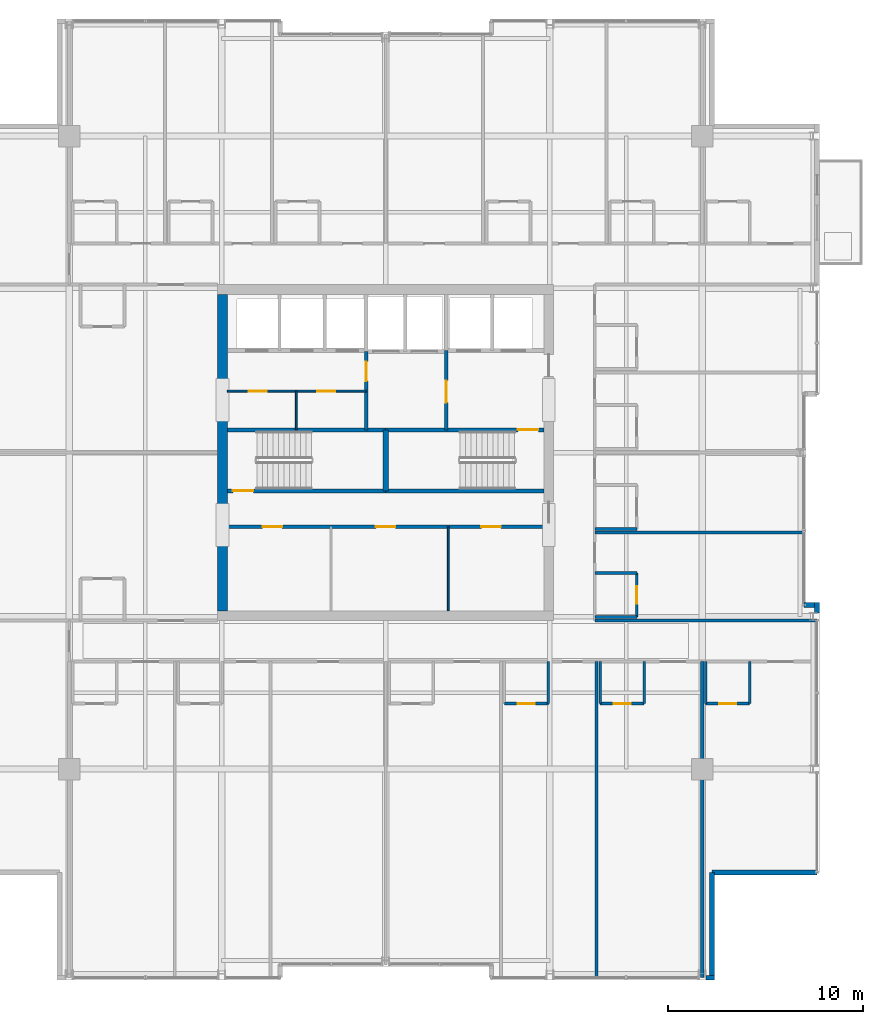
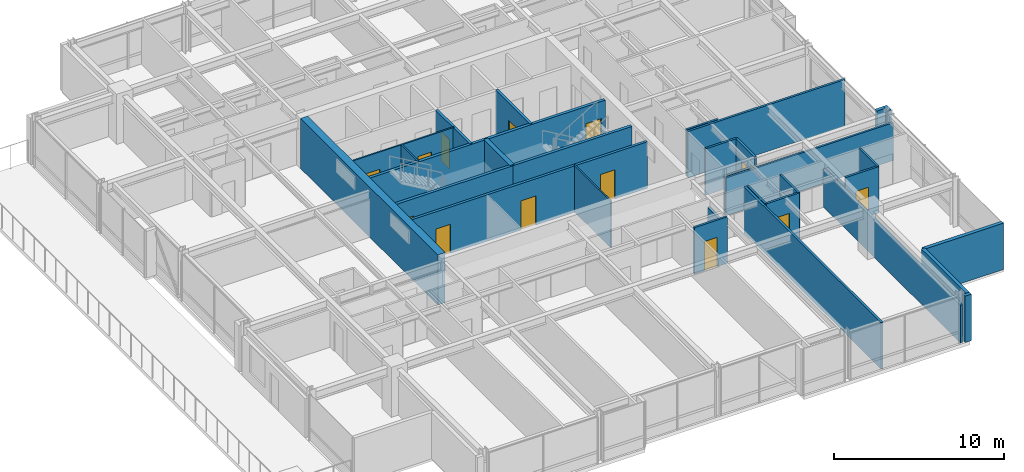
# One storey, part 26 of 32: 33 walls, 13 doors, 13 openings.
"""IFC4 building model written with IfcOpenShell, lengths in metres."""

from ifc_helpers import new_model, si_unit, direction, frame, frame_2d, origin, place, context, subcontext, project, spatial, rectangle, extrude, material, layer, layer_set, type_object, element, fill, save


model = new_model("IFC4")

# Units and contexts
model_context = context("Model", 3, precision=1e-05, world=origin(), true_north=direction((0.0, 1.0)))
body_context = subcontext(model_context, "Body", "Model", "MODEL_VIEW")
ifc_project = project(units=[si_unit("LENGTHUNIT", "METRE"), si_unit("AREAUNIT", "SQUARE_METRE"), si_unit("VOLUMEUNIT", "CUBIC_METRE"), si_unit("PLANEANGLEUNIT", "RADIAN"), si_unit("MASSUNIT", "GRAM", prefix="KILO")], contexts=[model_context])

# Site, building, storey
site_placement = place(None, origin())
site = spatial("IfcSite", under=ifc_project, at=site_placement, CompositionType="ELEMENT")
building_placement = place(site_placement, origin())
building = spatial("IfcBuilding", under=site, at=building_placement, Name="Drelvath Grand Hotel", CompositionType="ELEMENT")
storey_placement = place(building_placement, frame((0.0, 0.0, 205.10009765625)))
storey = spatial("IfcBuildingStorey", under=building, at=storey_placement, Name="L53", CompositionType="ELEMENT", Elevation=205.10009765625)

# Wall, openings, doors
ifc_material_1 = material(Name="Gypsum Partition Board")
ifc_layer_1 = layer(ifc_material_1, 0.10009765625)
ifc_layer_set_1 = layer_set([ifc_layer_1], Name="Gypsum Partition Board")
wall_type_1 = type_object("IfcWallType", Name="Core Closet Partition 100", PredefinedType="PARTITIONING", material=ifc_layer_set_1)
wall_1_placement = place(storey_placement, frame((-8.10009765625, 30.139892578125, 0.0), z_axis=(0.0, 0.0, 1.0), x_axis=(1.0, 0.0, 0.0)))
wall_1 = element("IfcWall", 1, at=wall_1_placement, inside=storey, type_object=wall_type_1, Name="L53 High-Rise Lobby Closet Wall", PredefinedType="PARTITIONING", context=body_context, shape_type="SweptSolid", body=[
    extrude(rectangle(XDim=7.10009765625, YDim=0.10009765625, at=frame_2d((3.550048828125, 0.0))), origin(), (0.0, 0.0, 1.0), 3.33984375),
])
opening_1_placement = place(wall_1_placement, frame((1.10009765625, 0.0, 0.0)))
opening_1 = element("IfcOpeningElement", 2, at=opening_1_placement, cuts=wall_1, Name="Opening D-T4G1-013", PredefinedType="OPENING", context=body_context, shape_type="SweptSolid", body=[
    extrude(rectangle(XDim=0.919921875, YDim=2.10009765625, at=frame_2d((0.4599609375, 1.050048828125))), frame((0.0, 0.06005859375, 0.0), z_axis=(0.0, -1.0, 0.0), x_axis=(1.0, 0.0, 0.0)), (0.0, 0.0, 1.0), 0.1201171875),
])
opening_2_placement = place(wall_1_placement, frame((4.60009765625, 0.0, 0.0)))
opening_2 = element("IfcOpeningElement", 3, at=opening_2_placement, cuts=wall_1, Name="Opening D-T4G1-014", PredefinedType="OPENING", context=body_context, shape_type="SweptSolid", body=[
    extrude(rectangle(XDim=0.919921875, YDim=2.10009765625, at=frame_2d((0.4599609375, 1.050048828125))), frame((0.0, 0.06005859375, 0.0), z_axis=(0.0, -1.0, 0.0), x_axis=(1.0, 0.0, 0.0)), (0.0, 0.0, 1.0), 0.1201171875),
])
ifc_material_2 = material(Name="Painted Steel S275", Category="steel")
door_type_1 = type_object("IfcDoorType", Name="Staff Utility Door 920x2100", OperationType="NOTDEFINED", PredefinedType="DOOR", material=ifc_material_2)
door_1_placement = place(opening_1_placement, origin())
door_1 = element("IfcDoor", 4, at=door_1_placement, inside=storey, type_object=door_type_1, Name="L53 Electrical Closet Door", OperationType="SINGLE_SWING_RIGHT", OverallHeight=2.10009765625, OverallWidth=0.919921875, PredefinedType="DOOR", context=body_context, shape_type="SweptSolid", body=[
    extrude(rectangle(XDim=0.919921875, YDim=2.10009765625, at=frame_2d((0.4599609375, 1.050048828125))), frame((0.0, 0.02490234375, 0.0), z_axis=(0.0, -1.0, 0.0), x_axis=(1.0, 0.0, 0.0)), (0.0, 0.0, 1.0), 0.050048828125),
])
fill(opening_1, door_1)
door_2_placement = place(opening_2_placement, origin())
door_2 = element("IfcDoor", 5, at=door_2_placement, inside=storey, type_object=door_type_1, Name="L53 Telecom Room Door", OperationType="SINGLE_SWING_LEFT", OverallHeight=2.10009765625, OverallWidth=0.919921875, PredefinedType="DOOR", context=body_context, shape_type="SweptSolid", body=[
    extrude(rectangle(XDim=0.919921875, YDim=2.10009765625, at=frame_2d((0.4599609375, 1.050048828125))), frame((0.0, 0.02490234375, 0.0), z_axis=(0.0, -1.0, 0.0), x_axis=(1.0, 0.0, 0.0)), (0.0, 0.0, 1.0), 0.050048828125),
])
fill(opening_2, door_2)

# Walls
wall_2_placement = place(storey_placement, frame((-4.580078125, 28.159912109375, 0.0), z_axis=(0.0, 0.0, 1.0), x_axis=(0.0, 1.0, 0.0)))
element("IfcWall", 6, at=wall_2_placement, inside=storey, type_object=wall_type_1, Name="L53 Core Closet Split 1", PredefinedType="PARTITIONING", context=body_context, shape_type="SweptSolid", body=[
    extrude(rectangle(XDim=1.97998046875, YDim=0.10009765625, at=frame_2d((0.989990234375, 0.0))), origin(), (0.0, 0.0, 1.0), 3.33984375),
])
wall_3_placement = place(storey_placement, frame((3.199951171875, 18.89990234375, 0.0), z_axis=(0.0, 0.0, 1.0), x_axis=(0.0, 1.0, 0.0)))
element("IfcWall", 7, at=wall_3_placement, inside=storey, type_object=wall_type_1, Name="L53 Upper Core Split 1B", PredefinedType="PARTITIONING", context=body_context, shape_type="SweptSolid", body=[
    extrude(rectangle(XDim=4.300048828125, YDim=0.10009765625, at=frame_2d((2.14990234375, 0.0))), origin(), (0.0, 0.0, 1.0), 3.33984375),
])

# Wall, opening, door
ifc_material_3 = material(Name="Concrete C40/50", Category="concrete")
ifc_layer_2 = layer(ifc_material_3, 0.199951171875)
ifc_layer_set_2 = layer_set([ifc_layer_2], Name="Concrete C40/50")
wall_type_2 = type_object("IfcWallType", Name="Core Shaft Fire Wall 200", PredefinedType="SOLIDWALL", material=ifc_layer_set_2)
wall_4_placement = place(storey_placement, frame((-8.10009765625, 25.0400390625, 0.0), z_axis=(0.0, 0.0, 1.0), x_axis=(1.0, 0.0, 0.0)))
wall_4 = element("IfcWall", 8, at=wall_4_placement, inside=storey, type_object=wall_type_2, Name="L53 Stair ST-1 South Wall", PredefinedType="SOLIDWALL", context=body_context, shape_type="SweptSolid", body=[
    extrude(rectangle(XDim=8.10009765625, YDim=0.199951171875, at=frame_2d((4.050048828125, 0.0))), origin(), (0.0, 0.0, 1.0), 3.33984375),
])
opening_3_placement = place(wall_4_placement, frame((0.280029296875, 0.0, 0.0)))
opening_3 = element("IfcOpeningElement", 9, at=opening_3_placement, cuts=wall_4, Name="Opening D-T4G1-001", PredefinedType="OPENING", context=body_context, shape_type="SweptSolid", body=[
    extrude(rectangle(XDim=1.050048828125, YDim=2.10009765625, at=frame_2d((0.52490234375, 1.050048828125))), frame((0.0, 0.10986328125, 0.0), z_axis=(0.0, -1.0, 0.0), x_axis=(1.0, 0.0, 0.0)), (0.0, 0.0, 1.0), 0.219970703125),
])
door_type_2 = type_object("IfcDoorType", Name="Tower Stairwell Fire Door 1050x2100", OperationType="NOTDEFINED", PredefinedType="DOOR", material=ifc_material_2)
door_3_placement = place(opening_3_placement, origin())
door_3 = element("IfcDoor", 10, at=door_3_placement, inside=storey, type_object=door_type_2, Name="L53 Exit Stair ST-1 Door", OperationType="SINGLE_SWING_LEFT", OverallHeight=2.10009765625, OverallWidth=1.050048828125, PredefinedType="DOOR", context=body_context, shape_type="SweptSolid", body=[
    extrude(rectangle(XDim=1.050048828125, YDim=2.10009765625, at=frame_2d((0.52490234375, 1.050048828125))), frame((0.0, 0.02490234375, 0.0), z_axis=(0.0, -1.0, 0.0), x_axis=(1.0, 0.0, 0.0)), (0.0, 0.0, 1.0), 0.050048828125),
])
fill(opening_3, door_3)

# Walls
for number, where, z_axis, x_axis, name in (
    (11, (-8.10009765625, 28.159912109375, 0.0), (0.0, 0.0, 1.0), (1.0, 0.0, 0.0), "L53 Stair ST-1 North Wall"),
    (12, (0.0, 25.0400390625, 0.0), (0.0, 0.0, 1.0), (1.0, 0.0, 0.0), "L53 Stair ST-2 South Wall"),
):
    element("IfcWall", number, at=place(storey_placement, frame(where, z_axis=z_axis, x_axis=x_axis)), inside=storey, type_object=wall_type_2, Name=name, PredefinedType="SOLIDWALL", context=body_context, shape_type="SweptSolid", body=[
        extrude(rectangle(XDim=8.10009765625, YDim=0.199951171875, at=frame_2d((4.050048828125, 0.0))), origin(), (0.0, 0.0, 1.0), 3.33984375),
    ])

# Wall, opening, door
wall_5_placement = place(storey_placement, frame((8.10009765625, 28.159912109375, 0.0), z_axis=(0.0, 0.0, 1.0), x_axis=(-1.0, 0.0, 0.0)))
wall_5 = element("IfcWall", 13, at=wall_5_placement, inside=storey, type_object=wall_type_2, Name="L53 Stair ST-2 North Wall", PredefinedType="SOLIDWALL", context=body_context, shape_type="SweptSolid", body=[
    extrude(rectangle(XDim=8.10009765625, YDim=0.199951171875, at=frame_2d((4.050048828125, 0.0))), origin(), (0.0, 0.0, 1.0), 3.33984375),
])
opening_4_placement = place(wall_5_placement, frame((0.280029296875, 0.0, 0.0)))
opening_4 = element("IfcOpeningElement", 14, at=opening_4_placement, cuts=wall_5, Name="Opening D-T4G1-002", PredefinedType="OPENING", context=body_context, shape_type="SweptSolid", body=[
    extrude(rectangle(XDim=1.050048828125, YDim=2.10009765625, at=frame_2d((0.52490234375, 1.050048828125))), frame((0.0, 0.10986328125, 0.0), z_axis=(0.0, -1.0, 0.0), x_axis=(1.0, 0.0, 0.0)), (0.0, 0.0, 1.0), 0.219970703125),
])
door_4_placement = place(opening_4_placement, origin())
door_4 = element("IfcDoor", 15, at=door_4_placement, inside=storey, type_object=door_type_2, Name="L53 Exit Stair ST-2 Door", OperationType="SINGLE_SWING_LEFT", OverallHeight=2.10009765625, OverallWidth=1.050048828125, PredefinedType="DOOR", context=body_context, shape_type="SweptSolid", body=[
    extrude(rectangle(XDim=1.050048828125, YDim=2.10009765625, at=frame_2d((0.52490234375, 1.050048828125))), frame((0.0, 0.02490234375, 0.0), z_axis=(0.0, -1.0, 0.0), x_axis=(1.0, 0.0, 0.0)), (0.0, 0.0, 1.0), 0.050048828125),
])
fill(opening_4, door_4)

# Walls
ifc_layer_3 = layer(ifc_material_3, 0.300048828125)
ifc_layer_set_3 = layer_set([ifc_layer_3], Name="Concrete C40/50")
wall_type_3 = type_object("IfcWallType", Name="Core Shaft Fire Wall 300", PredefinedType="SOLIDWALL", material=ifc_layer_set_3)
wall_6_placement = place(storey_placement, frame((0.0, 25.0400390625, 0.0), z_axis=(0.0, 0.0, 1.0), x_axis=(0.0, 1.0, 0.0)))
element("IfcWall", 16, at=wall_6_placement, inside=storey, type_object=wall_type_3, Name="L53 Core Stair Divider Wall", PredefinedType="SOLIDWALL", context=body_context, shape_type="SweptSolid", body=[
    extrude(rectangle(XDim=3.119873046875, YDim=0.300048828125, at=frame_2d((1.56005859375, 0.0))), origin(), (0.0, 0.0, 1.0), 3.33984375),
])
ifc_material_4 = material(Name="Gypsum Fireboard Partition")
ifc_layer_4 = layer(ifc_material_4, 0.135009765625)
ifc_layer_set_4 = layer_set([ifc_layer_4], Name="Gypsum Fireboard Partition")
wall_type_4 = type_object("IfcWallType", Name="Corridor Fire Barrier Wall 135", PredefinedType="PARTITIONING", material=ifc_layer_set_4)
wall_7_placement = place(storey_placement, frame((10.699951171875, 18.39990234375, 0.0), z_axis=(0.0, 0.0, 1.0), x_axis=(1.0, 0.0, 0.0)))
element("IfcWall", 17, at=wall_7_placement, inside=storey, type_object=wall_type_4, Name="L53 South Gallery Inner East Wall", PredefinedType="PARTITIONING", context=body_context, shape_type="SweptSolid", body=[
    extrude(rectangle(XDim=11.380126953125, YDim=0.135009765625, at=frame_2d((5.68994140625, 0.0))), origin(), (0.0, 0.0, 1.0), 2.71728515625),
])
ifc_material_5 = material(Name="Moisture-Resistant Gypsum Board")
ifc_layer_5 = layer(ifc_material_5, 0.139892578125)
ifc_layer_set_5 = layer_set([ifc_layer_5], Name="Moisture-Resistant Gypsum Board")
wall_type_5 = type_object("IfcWallType", Name="En-Suite Plumbing Wall 140", PredefinedType="PLUMBINGWALL", material=ifc_layer_set_5)
wall_8_placement = place(storey_placement, frame((16.3798828125, 16.300048828125, 0.0), z_axis=(0.0, 0.0, 1.0), x_axis=(0.0, -1.0, 0.0)))
element("IfcWall", 18, at=wall_8_placement, inside=storey, type_object=wall_type_5, Name="L53 En-Suite Left Wall", PredefinedType="PLUMBINGWALL", context=body_context, shape_type="SweptSolid", body=[
    extrude(rectangle(XDim=2.150146484375, YDim=0.139892578125, at=frame_2d((1.0751953125, 0.0))), origin(), (0.0, 0.0, 1.0), 2.713623046875),
])
wall_9_placement = place(storey_placement, frame((18.6298828125, 16.300048828125, 0.0), z_axis=(0.0, 0.0, 1.0), x_axis=(0.0, -1.0, 0.0)))
element("IfcWall", 19, at=wall_9_placement, inside=storey, type_object=wall_type_5, Name="L53 En-Suite Right Wall", PredefinedType="PLUMBINGWALL", context=body_context, shape_type="SweptSolid", body=[
    extrude(rectangle(XDim=2.150146484375, YDim=0.139892578125, at=frame_2d((1.0751953125, 0.0))), origin(), (0.0, 0.0, 1.0), 3.33984375),
])

# Wall, opening, door
wall_10_placement = place(storey_placement, frame((16.3798828125, 14.14990234375, 0.0), z_axis=(0.0, 0.0, 1.0), x_axis=(1.0, 0.0, 0.0)))
wall_10 = element("IfcWall", 20, at=wall_10_placement, inside=storey, type_object=wall_type_5, Name="L53 En-Suite Front Wall", PredefinedType="PLUMBINGWALL", context=body_context, shape_type="SweptSolid", body=[
    extrude(rectangle(XDim=2.25, YDim=0.139892578125, at=frame_2d((1.125, 0.0))), origin(), (0.0, 0.0, 1.0), 3.33984375),
])
opening_5_placement = place(wall_10_placement, frame((0.68505859375, 0.0, 0.0)))
opening_5 = element("IfcOpeningElement", 21, at=opening_5_placement, cuts=wall_10, Name="Opening D-T4G1-021", PredefinedType="OPENING", context=body_context, shape_type="SweptSolid", body=[
    extrude(rectangle(XDim=0.8798828125, YDim=2.10009765625, at=frame_2d((0.43994140625, 1.050048828125))), frame((0.0, 0.079833984375, 0.0), z_axis=(0.0, -1.0, 0.0), x_axis=(1.0, 0.0, 0.0)), (0.0, 0.0, 1.0), 0.159912109375),
])
ifc_material_6 = material(Name="Hardwood Walnut Timber", Category="wood")
door_type_3 = type_object("IfcDoorType", Name="En-Suite Bathroom Door 880x2100", OperationType="NOTDEFINED", PredefinedType="DOOR", material=ifc_material_6)
door_5_placement = place(opening_5_placement, origin())
door_5 = element("IfcDoor", 22, at=door_5_placement, inside=storey, type_object=door_type_3, Name="L53 En-Suite Bathroom Door", OperationType="SINGLE_SWING_RIGHT", OverallHeight=2.10009765625, OverallWidth=0.8798828125, PredefinedType="DOOR", context=body_context, shape_type="SweptSolid", body=[
    extrude(rectangle(XDim=0.8798828125, YDim=2.10009765625, at=frame_2d((0.43994140625, 1.050048828125))), frame((0.0, 0.02490234375, 0.0), z_axis=(0.0, -1.0, 0.0), x_axis=(1.0, 0.0, 0.0)), (0.0, 0.0, 1.0), 0.050048828125),
])
fill(opening_5, door_5)

# Wall
wall_11_placement = place(storey_placement, frame((8.32080078125, 16.300048828125, 0.0), z_axis=(0.0, 0.0, 1.0), x_axis=(0.0, -1.0, 0.0)))
element("IfcWall", 23, at=wall_11_placement, inside=storey, type_object=wall_type_5, Name="L53 En-Suite Right Wall", PredefinedType="PLUMBINGWALL", context=body_context, shape_type="SweptSolid", body=[
    extrude(rectangle(XDim=2.150146484375, YDim=0.139892578125, at=frame_2d((1.0751953125, 0.0))), origin(), (0.0, 0.0, 1.0), 2.71728515625),
])

# Wall, opening, door
wall_12_placement = place(storey_placement, frame((6.07080078125, 14.14990234375, 0.0), z_axis=(0.0, 0.0, 1.0), x_axis=(1.0, 0.0, 0.0)))
wall_12 = element("IfcWall", 24, at=wall_12_placement, inside=storey, type_object=wall_type_5, Name="L53 En-Suite Front Wall", PredefinedType="PLUMBINGWALL", context=body_context, shape_type="SweptSolid", body=[
    extrude(rectangle(XDim=2.25, YDim=0.139892578125, at=frame_2d((1.125, 0.0))), origin(), (0.0, 0.0, 1.0), 3.33984375),
])
opening_6_placement = place(wall_12_placement, frame((0.68505859375, 0.0, 0.0)))
opening_6 = element("IfcOpeningElement", 25, at=opening_6_placement, cuts=wall_12, Name="Opening D-T4G1-032", PredefinedType="OPENING", context=body_context, shape_type="SweptSolid", body=[
    extrude(rectangle(XDim=0.8798828125, YDim=2.10009765625, at=frame_2d((0.43994140625, 1.050048828125))), frame((0.0, 0.079833984375, 0.0), z_axis=(0.0, -1.0, 0.0), x_axis=(1.0, 0.0, 0.0)), (0.0, 0.0, 1.0), 0.159912109375),
])
door_6_placement = place(opening_6_placement, origin())
door_6 = element("IfcDoor", 26, at=door_6_placement, inside=storey, type_object=door_type_3, Name="L53 En-Suite Bathroom Door", OperationType="SINGLE_SWING_LEFT", OverallHeight=2.10009765625, OverallWidth=0.8798828125, PredefinedType="DOOR", context=body_context, shape_type="SweptSolid", body=[
    extrude(rectangle(XDim=0.8798828125, YDim=2.10009765625, at=frame_2d((0.43994140625, 1.050048828125))), frame((0.0, 0.02490234375, 0.0), z_axis=(0.0, -1.0, 0.0), x_axis=(1.0, 0.0, 0.0)), (0.0, 0.0, 1.0), 0.050048828125),
])
fill(opening_6, door_6)

# Walls
for number, where, z_axis, x_axis, name in (
    (27, (10.97998046875, 16.300048828125, 0.0), (0.0, 0.0, 1.0), (0.0, -1.0, 0.0), "L53 En-Suite Left Wall"),
    (28, (13.22998046875, 16.300048828125, 0.0), (0.0, 0.0, 1.0), (0.0, -1.0, 0.0), "L53 En-Suite Right Wall"),
):
    element("IfcWall", number, at=place(storey_placement, frame(where, z_axis=z_axis, x_axis=x_axis)), inside=storey, type_object=wall_type_5, Name=name, PredefinedType="PLUMBINGWALL", context=body_context, shape_type="SweptSolid", body=[
        extrude(rectangle(XDim=2.150146484375, YDim=0.139892578125, at=frame_2d((1.0751953125, 0.0))), origin(), (0.0, 0.0, 1.0), 3.33984375),
    ])

# Wall, opening, door
wall_13_placement = place(storey_placement, frame((10.97998046875, 14.14990234375, 0.0), z_axis=(0.0, 0.0, 1.0), x_axis=(1.0, 0.0, 0.0)))
wall_13 = element("IfcWall", 29, at=wall_13_placement, inside=storey, type_object=wall_type_5, Name="L53 En-Suite Front Wall", PredefinedType="PLUMBINGWALL", context=body_context, shape_type="SweptSolid", body=[
    extrude(rectangle(XDim=2.25, YDim=0.139892578125, at=frame_2d((1.125, 0.0))), origin(), (0.0, 0.0, 1.0), 3.33984375),
])
opening_7_placement = place(wall_13_placement, frame((0.68505859375, 0.0, 0.0)))
opening_7 = element("IfcOpeningElement", 30, at=opening_7_placement, cuts=wall_13, Name="Opening D-T4G1-034", PredefinedType="OPENING", context=body_context, shape_type="SweptSolid", body=[
    extrude(rectangle(XDim=0.8798828125, YDim=2.10009765625, at=frame_2d((0.43994140625, 1.050048828125))), frame((0.0, 0.079833984375, 0.0), z_axis=(0.0, -1.0, 0.0), x_axis=(1.0, 0.0, 0.0)), (0.0, 0.0, 1.0), 0.159912109375),
])
door_7_placement = place(opening_7_placement, origin())
door_7 = element("IfcDoor", 31, at=door_7_placement, inside=storey, type_object=door_type_3, Name="L53 En-Suite Bathroom Door", OperationType="SINGLE_SWING_LEFT", OverallHeight=2.10009765625, OverallWidth=0.8798828125, PredefinedType="DOOR", context=body_context, shape_type="SweptSolid", body=[
    extrude(rectangle(XDim=0.8798828125, YDim=2.10009765625, at=frame_2d((0.43994140625, 1.050048828125))), frame((0.0, 0.02490234375, 0.0), z_axis=(0.0, -1.0, 0.0), x_axis=(1.0, 0.0, 0.0)), (0.0, 0.0, 1.0), 0.050048828125),
])
fill(opening_7, door_7)

# Walls
wall_14_placement = place(storey_placement, frame((10.699951171875, 18.580078125, 0.0), z_axis=(0.0, 0.0, 1.0), x_axis=(1.0, 0.0, 0.0)))
element("IfcWall", 32, at=wall_14_placement, inside=storey, type_object=wall_type_5, Name="L53 En-Suite Left Wall", PredefinedType="PLUMBINGWALL", context=body_context, shape_type="SweptSolid", body=[
    extrude(rectangle(XDim=2.150146484375, YDim=0.139892578125, at=frame_2d((1.0751953125, 0.0))), origin(), (0.0, 0.0, 1.0), 2.71728515625),
])
wall_15_placement = place(storey_placement, frame((10.699951171875, 20.830078125, 0.0), z_axis=(0.0, 0.0, 1.0), x_axis=(1.0, 0.0, 0.0)))
element("IfcWall", 33, at=wall_15_placement, inside=storey, type_object=wall_type_5, Name="L53 En-Suite Right Wall", PredefinedType="PLUMBINGWALL", context=body_context, shape_type="SweptSolid", body=[
    extrude(rectangle(XDim=2.150146484375, YDim=0.139892578125, at=frame_2d((1.0751953125, 0.0))), origin(), (0.0, 0.0, 1.0), 3.33984375),
])

# Wall, opening, door
wall_16_placement = place(storey_placement, frame((12.85009765625, 18.580078125, 0.0), z_axis=(0.0, 0.0, 1.0), x_axis=(0.0, 1.0, 0.0)))
wall_16 = element("IfcWall", 34, at=wall_16_placement, inside=storey, type_object=wall_type_5, Name="L53 En-Suite Front Wall", PredefinedType="PLUMBINGWALL", context=body_context, shape_type="SweptSolid", body=[
    extrude(rectangle(XDim=2.25, YDim=0.139892578125, at=frame_2d((1.125, 0.0))), origin(), (0.0, 0.0, 1.0), 3.33984375),
])
opening_8_placement = place(wall_16_placement, frame((0.68505859375, 0.0, 0.0)))
opening_8 = element("IfcOpeningElement", 35, at=opening_8_placement, cuts=wall_16, Name="Opening D-T4G1-047", PredefinedType="OPENING", context=body_context, shape_type="SweptSolid", body=[
    extrude(rectangle(XDim=0.8798828125, YDim=2.10009765625, at=frame_2d((0.43994140625, 1.050048828125))), frame((0.0, 0.079833984375, 0.0), z_axis=(0.0, -1.0, 0.0), x_axis=(1.0, 0.0, 0.0)), (0.0, 0.0, 1.0), 0.159912109375),
])
door_8_placement = place(opening_8_placement, origin())
door_8 = element("IfcDoor", 36, at=door_8_placement, inside=storey, type_object=door_type_3, Name="L53 En-Suite Bathroom Door", OperationType="SINGLE_SWING_RIGHT", OverallHeight=2.10009765625, OverallWidth=0.8798828125, PredefinedType="DOOR", context=body_context, shape_type="SweptSolid", body=[
    extrude(rectangle(XDim=0.8798828125, YDim=2.10009765625, at=frame_2d((0.43994140625, 1.050048828125))), frame((0.0, 0.02490234375, 0.0), z_axis=(0.0, -1.0, 0.0), x_axis=(1.0, 0.0, 0.0)), (0.0, 0.0, 1.0), 0.050048828125),
])
fill(opening_8, door_8)

# Wall
wall_17_placement = place(storey_placement, frame((10.699951171875, 23.084716796875, 0.0), z_axis=(0.0, 0.0, 1.0), x_axis=(1.0, 0.0, 0.0)))
element("IfcWall", 37, at=wall_17_placement, inside=storey, type_object=wall_type_5, Name="L53 En-Suite Left Wall", PredefinedType="PLUMBINGWALL", context=body_context, shape_type="SweptSolid", body=[
    extrude(rectangle(XDim=2.150146484375, YDim=0.139892578125, at=frame_2d((1.0751953125, 0.0))), origin(), (0.0, 0.0, 1.0), 3.33984375),
])

# Wall, opening, door
ifc_layer_6 = layer(ifc_material_4, 0.179931640625)
ifc_layer_set_6 = layer_set([ifc_layer_6], Name="Gypsum Fireboard Partition")
wall_type_6 = type_object("IfcWallType", Name="FSAE Smoke Lobby Fire Wall 180", PredefinedType="SOLIDWALL", material=ifc_layer_set_6)
wall_18_placement = place(storey_placement, frame((3.10009765625, 28.159912109375, 0.0), z_axis=(0.0, 0.0, 1.0), x_axis=(0.0, 1.0, 0.0)))
wall_18 = element("IfcWall", 38, at=wall_18_placement, inside=storey, type_object=wall_type_6, Name="L53 FSAE Smoke Lobby West Wall", PredefinedType="SOLIDWALL", context=body_context, shape_type="SweptSolid", body=[
    extrude(rectangle(XDim=4.06005859375, YDim=0.179931640625, at=frame_2d((2.030029296875, 0.0))), origin(), (0.0, 0.0, 1.0), 3.33984375),
])
opening_9_placement = place(wall_18_placement, frame((1.39990234375, 0.0, 0.0)))
opening_9 = element("IfcOpeningElement", 39, at=opening_9_placement, cuts=wall_18, Name="Opening D-T4G1-005", PredefinedType="OPENING", context=body_context, shape_type="SweptSolid", body=[
    extrude(rectangle(XDim=1.1201171875, YDim=2.10009765625, at=frame_2d((0.56005859375, 1.050048828125))), frame((0.0, 0.099853515625, 0.0), z_axis=(0.0, -1.0, 0.0), x_axis=(1.0, 0.0, 0.0)), (0.0, 0.0, 1.0), 0.199951171875),
])
door_type_4 = type_object("IfcDoorType", Name="FSAE Smoke Lobby Fire Door 1120x2100", OperationType="NOTDEFINED", PredefinedType="DOOR", material=ifc_material_2)
door_9_placement = place(opening_9_placement, origin())
door_9 = element("IfcDoor", 40, at=door_9_placement, inside=storey, type_object=door_type_4, Name="L53 FSAE Lobby Service Vestibule Door", OperationType="SINGLE_SWING_RIGHT", OverallHeight=2.10009765625, OverallWidth=1.1201171875, PredefinedType="DOOR", context=body_context, shape_type="SweptSolid", body=[
    extrude(rectangle(XDim=1.1201171875, YDim=2.10009765625, at=frame_2d((0.56005859375, 1.050048828125))), frame((0.0, 0.02490234375, 0.0), z_axis=(0.0, -1.0, 0.0), x_axis=(1.0, 0.0, 0.0)), (0.0, 0.0, 1.0), 0.050048828125),
])
fill(opening_9, door_9)

wall_19_placement = place(storey_placement, frame((-1.0, 28.159912109375, 0.0), z_axis=(0.0, 0.0, 1.0), x_axis=(0.0, 1.0, 0.0)))
wall_19 = element("IfcWall", 41, at=wall_19_placement, inside=storey, type_object=wall_type_6, Name="L53 Service Vestibule West Wall", PredefinedType="SOLIDWALL", context=body_context, shape_type="SweptSolid", body=[
    extrude(rectangle(XDim=4.02001953125, YDim=0.179931640625, at=frame_2d((2.010009765625, 0.0))), origin(), (0.0, 0.0, 1.0), 3.33984375),
])
opening_10_placement = place(wall_19_placement, frame((2.489990234375, 0.0, 0.0)))
opening_10 = element("IfcOpeningElement", 42, at=opening_10_placement, cuts=wall_19, Name="Opening D-T4G1-009", PredefinedType="OPENING", context=body_context, shape_type="SweptSolid", body=[
    extrude(rectangle(XDim=1.0, YDim=2.10009765625, at=frame_2d((0.5, 1.050048828125))), frame((0.0, 0.099853515625, 0.0), z_axis=(0.0, -1.0, 0.0), x_axis=(1.0, 0.0, 0.0)), (0.0, 0.0, 1.0), 0.199951171875),
])
door_type_5 = type_object("IfcDoorType", Name="Core Service Fire Door 1000x2100", OperationType="NOTDEFINED", PredefinedType="DOOR", material=ifc_material_2)
door_10_placement = place(opening_10_placement, origin())
door_10 = element("IfcDoor", 43, at=door_10_placement, inside=storey, type_object=door_type_5, Name="L53 Service Vestibule West Door", OperationType="SINGLE_SWING_LEFT", OverallHeight=2.10009765625, OverallWidth=1.0, PredefinedType="DOOR", context=body_context, shape_type="SweptSolid", body=[
    extrude(rectangle(XDim=1.0, YDim=2.10009765625, at=frame_2d((0.5, 1.050048828125))), frame((0.0, 0.02490234375, 0.0), z_axis=(0.0, -1.0, 0.0), x_axis=(1.0, 0.0, 0.0)), (0.0, 0.0, 1.0), 0.050048828125),
])
fill(opening_10, door_10)

# Wall, openings, doors
wall_20_placement = place(storey_placement, frame((-8.10009765625, 23.199951171875, 0.0), z_axis=(0.0, 0.0, 1.0), x_axis=(1.0, 0.0, 0.0)))
wall_20 = element("IfcWall", 44, at=wall_20_placement, inside=storey, type_object=wall_type_6, Name="L53 Upper Reclaimed Core Wall", PredefinedType="SOLIDWALL", context=body_context, shape_type="SweptSolid", body=[
    extrude(rectangle(XDim=16.2001953125, YDim=0.179931640625, at=frame_2d((8.10009765625, 0.0))), origin(), (0.0, 0.0, 1.0), 3.33984375),
])
opening_11_placement = place(wall_20_placement, frame((1.800048828125, 0.0, 0.0)))
opening_11 = element("IfcOpeningElement", 45, at=opening_11_placement, cuts=wall_20, Name="Opening D-T4G1-016", PredefinedType="OPENING", context=body_context, shape_type="SweptSolid", body=[
    extrude(rectangle(XDim=1.0, YDim=2.10009765625, at=frame_2d((0.5, 1.050048828125))), frame((0.0, 0.099853515625, 0.0), z_axis=(0.0, -1.0, 0.0), x_axis=(1.0, 0.0, 0.0)), (0.0, 0.0, 1.0), 0.199951171875),
])
opening_12_placement = place(wall_20_placement, frame((7.60009765625, 0.0, 0.0)))
opening_12 = element("IfcOpeningElement", 46, at=opening_12_placement, cuts=wall_20, Name="Opening D-T4G1-017", PredefinedType="OPENING", context=body_context, shape_type="SweptSolid", body=[
    extrude(rectangle(XDim=1.0, YDim=2.10009765625, at=frame_2d((0.5, 1.050048828125))), frame((0.0, 0.099853515625, 0.0), z_axis=(0.0, -1.0, 0.0), x_axis=(1.0, 0.0, 0.0)), (0.0, 0.0, 1.0), 0.199951171875),
])
opening_13_placement = place(wall_20_placement, frame((13.0, 0.0, 0.0)))
opening_13 = element("IfcOpeningElement", 47, at=opening_13_placement, cuts=wall_20, Name="Opening D-T4G1-018", PredefinedType="OPENING", context=body_context, shape_type="SweptSolid", body=[
    extrude(rectangle(XDim=1.0, YDim=2.10009765625, at=frame_2d((0.5, 1.050048828125))), frame((0.0, 0.099853515625, 0.0), z_axis=(0.0, -1.0, 0.0), x_axis=(1.0, 0.0, 0.0)), (0.0, 0.0, 1.0), 0.199951171875),
])
door_11_placement = place(opening_11_placement, origin())
door_11 = element("IfcDoor", 48, at=door_11_placement, inside=storey, type_object=door_type_5, Name="L53 Housekeeping Door", OperationType="SINGLE_SWING_LEFT", OverallHeight=2.10009765625, OverallWidth=1.0, PredefinedType="DOOR", context=body_context, shape_type="SweptSolid", body=[
    extrude(rectangle(XDim=1.0, YDim=2.10009765625, at=frame_2d((0.5, 1.050048828125))), frame((0.0, 0.02490234375, 0.0), z_axis=(0.0, -1.0, 0.0), x_axis=(1.0, 0.0, 0.0)), (0.0, 0.0, 1.0), 0.050048828125),
])
fill(opening_11, door_11)
door_12_placement = place(opening_12_placement, origin())
door_12 = element("IfcDoor", 49, at=door_12_placement, inside=storey, type_object=door_type_5, Name="L53 Prep Pantry Door", OperationType="SINGLE_SWING_RIGHT", OverallHeight=2.10009765625, OverallWidth=1.0, PredefinedType="DOOR", context=body_context, shape_type="SweptSolid", body=[
    extrude(rectangle(XDim=1.0, YDim=2.10009765625, at=frame_2d((0.5, 1.050048828125))), frame((0.0, 0.02490234375, 0.0), z_axis=(0.0, -1.0, 0.0), x_axis=(1.0, 0.0, 0.0)), (0.0, 0.0, 1.0), 0.050048828125),
])
fill(opening_12, door_12)
door_13_placement = place(opening_13_placement, origin())
door_13 = element("IfcDoor", 50, at=door_13_placement, inside=storey, type_object=door_type_5, Name="L53 AV Room Door", OperationType="SINGLE_SWING_LEFT", OverallHeight=2.10009765625, OverallWidth=1.0, PredefinedType="DOOR", context=body_context, shape_type="SweptSolid", body=[
    extrude(rectangle(XDim=1.0, YDim=2.10009765625, at=frame_2d((0.5, 1.050048828125))), frame((0.0, 0.02490234375, 0.0), z_axis=(0.0, -1.0, 0.0), x_axis=(1.0, 0.0, 0.0)), (0.0, 0.0, 1.0), 0.050048828125),
])
fill(opening_13, door_13)

# Walls
ifc_material_7 = material(Name="Gypsum Acoustic Partition")
ifc_layer_7 = layer(ifc_material_7, 0.14990234375)
ifc_layer_set_7 = layer_set([ifc_layer_7], Name="Gypsum Acoustic Partition")
wall_type_7 = type_object("IfcWallType", Name="Guestroom Demising Wall 150", PredefinedType="PARTITIONING", material=ifc_layer_set_7)
wall_21_placement = place(storey_placement, frame((10.800048828125, 0.1201171875, 0.0), z_axis=(0.0, 0.0, 1.0), x_axis=(0.0, 1.0, 0.0)))
element("IfcWall", 51, at=wall_21_placement, inside=storey, type_object=wall_type_7, Name="L53 South Demising 5", PredefinedType="PARTITIONING", context=body_context, shape_type="SweptSolid", body=[
    extrude(rectangle(XDim=16.179931640625, YDim=0.14990234375, at=frame_2d((8.08984375, 0.0))), origin(), (0.0, 0.0, 1.0), 3.33984375),
])
wall_22_placement = place(storey_placement, frame((10.699951171875, 22.90478515625, 0.0), z_axis=(0.0, 0.0, 1.0), x_axis=(1.0, 0.0, 0.0)))
element("IfcWall", 52, at=wall_22_placement, inside=storey, type_object=wall_type_7, Name="L53 East Demising 1", PredefinedType="PARTITIONING", context=body_context, shape_type="SweptSolid", body=[
    extrude(rectangle(XDim=10.699951171875, YDim=0.14990234375, at=frame_2d((5.35009765625, 0.0))), origin(), (0.0, 0.0, 1.0), 3.33984375),
])
ifc_layer_8 = layer(ifc_material_7, 0.1650390625)
ifc_layer_set_8 = layer_set([ifc_layer_8], Name="Gypsum Acoustic Partition")
wall_type_8 = type_object("IfcWallType", Name="Suite Demising Wall 165", PredefinedType="PARTITIONING", material=ifc_layer_set_8)
wall_23_placement = place(storey_placement, frame((16.199951171875, 0.1201171875, 0.0), z_axis=(0.0, 0.0, 1.0), x_axis=(0.0, 1.0, 0.0)))
element("IfcWall", 53, at=wall_23_placement, inside=storey, type_object=wall_type_8, Name="L53 SE Suite Wall", PredefinedType="PARTITIONING", context=body_context, shape_type="SweptSolid", body=[
    extrude(rectangle(XDim=16.179931640625, YDim=0.1650390625, at=frame_2d((8.08984375, 0.0))), origin(), (0.0, 0.0, 1.0), 2.713623046875),
])
ifc_material_8 = material(Name="Pale-Metal Insulated Aluminium Spandrel Assembly", Category="aluminium")
ifc_layer_9 = layer(ifc_material_8, 0.239990234375)
ifc_layer_set_9 = layer_set([ifc_layer_9], Name="Pale-Metal Insulated Aluminium Spandrel Assembly")
wall_type_9 = type_object("IfcWallType", Name="Tower Insulated Metal Spandrel Closure Wall 240", PredefinedType="STANDARD", material=ifc_layer_set_9)
wall_24_placement = place(storey_placement, frame((22.080078125, 19.320068359375, 0.0), z_axis=(0.0, 0.0, 1.0), x_axis=(0.0, -1.0, 0.0)))
element("IfcWall", 54, at=wall_24_placement, inside=storey, type_object=wall_type_9, Name="L53 Corner Pier Spandrel Wall ES3", PredefinedType="STANDARD", context=body_context, shape_type="SweptSolid", body=[
    extrude(rectangle(XDim=0.53466796875, YDim=0.239990234375, at=frame_2d((0.267333984375, 0.0))), origin(), (0.0, 0.0, 1.0), 3.33984375),
])
wall_25_placement = place(storey_placement, frame((16.820068359375, 0.1201171875, 0.0), z_axis=(0.0, 0.0, 1.0), x_axis=(-1.0, 0.0, 0.0)))
element("IfcWall", 55, at=wall_25_placement, inside=storey, type_object=wall_type_9, Name="L53 Corner Pier Spandrel Wall SE3", PredefinedType="STANDARD", context=body_context, shape_type="SweptSolid", body=[
    extrude(rectangle(XDim=0.434814453125, YDim=0.239990234375, at=frame_2d((0.21728515625, 0.0))), origin(), (0.0, 0.0, 1.0), 3.33984375),
])
wall_26_placement = place(storey_placement, frame((22.080078125, 5.5, 0.0), z_axis=(0.0, 0.0, 1.0), x_axis=(-1.0, 0.0, 0.0)))
element("IfcWall", 56, at=wall_26_placement, inside=storey, type_object=wall_type_9, Name="L53 Notched Corner Return Spandrel Wall CSE1", PredefinedType="STANDARD", context=body_context, shape_type="SweptSolid", body=[
    extrude(rectangle(XDim=5.380126953125, YDim=0.239990234375, at=frame_2d((2.68994140625, 0.0))), origin(), (0.0, 0.0, 1.0), 3.33984375),
])
wall_27_placement = place(storey_placement, frame((16.699951171875, 5.5, 0.0), z_axis=(0.0, 0.0, 1.0), x_axis=(0.0, -1.0, 0.0)))
element("IfcWall", 57, at=wall_27_placement, inside=storey, type_object=wall_type_9, Name="L53 Notched Corner Return Spandrel Wall CSE2", PredefinedType="STANDARD", context=body_context, shape_type="SweptSolid", body=[
    extrude(rectangle(XDim=5.260009765625, YDim=0.239990234375, at=frame_2d((2.6298828125, 0.0))), origin(), (0.0, 0.0, 1.0), 3.33984375),
])
wall_28_placement = place(storey_placement, frame((21.39990234375, 19.199951171875, 0.0), z_axis=(0.0, 0.0, 1.0), x_axis=(1.0, 0.0, 0.0)))
element("IfcWall", 58, at=wall_28_placement, inside=storey, type_object=wall_type_9, Name="L53 Notched Corner Return Spandrel Wall RE2", PredefinedType="STANDARD", context=body_context, shape_type="SweptSolid", body=[
    extrude(rectangle(XDim=0.56005859375, YDim=0.239990234375, at=frame_2d((0.280029296875, 0.0))), origin(), (0.0, 0.0, 1.0), 3.33984375),
])
ifc_material_9 = material(Name="Concrete f'c 55 MPa", Category="concrete")
ifc_layer_10 = layer(ifc_material_9, 0.5)
ifc_layer_set_10 = layer_set([ifc_layer_10], Name="Concrete f'c 55 MPa")
wall_type_10 = type_object("IfcWallType", Name="Upper Core RC Shear Wall 500", PredefinedType="SHEAR", material=ifc_layer_set_10)
wall_29_placement = place(storey_placement, frame((-8.35009765625, 18.89990234375, 0.0), z_axis=(0.0, 0.0, 1.0), x_axis=(0.0, 1.0, 0.0)))
element("IfcWall", 59, at=wall_29_placement, inside=storey, type_object=wall_type_10, Name="L53 Central Core Shear Wall W", PredefinedType="SHEAR", context=body_context, shape_type="SweptSolid", body=[
    extrude(rectangle(XDim=16.2001953125, YDim=0.5, at=frame_2d((8.10009765625, 0.0))), origin(), (0.0, 0.0, 1.0), 3.599853515625),
])

save(model, "model.ifc")
